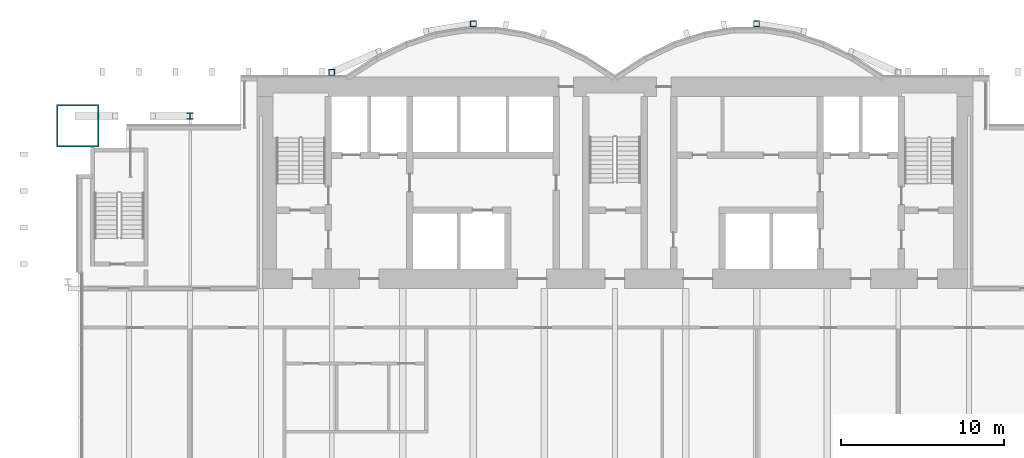
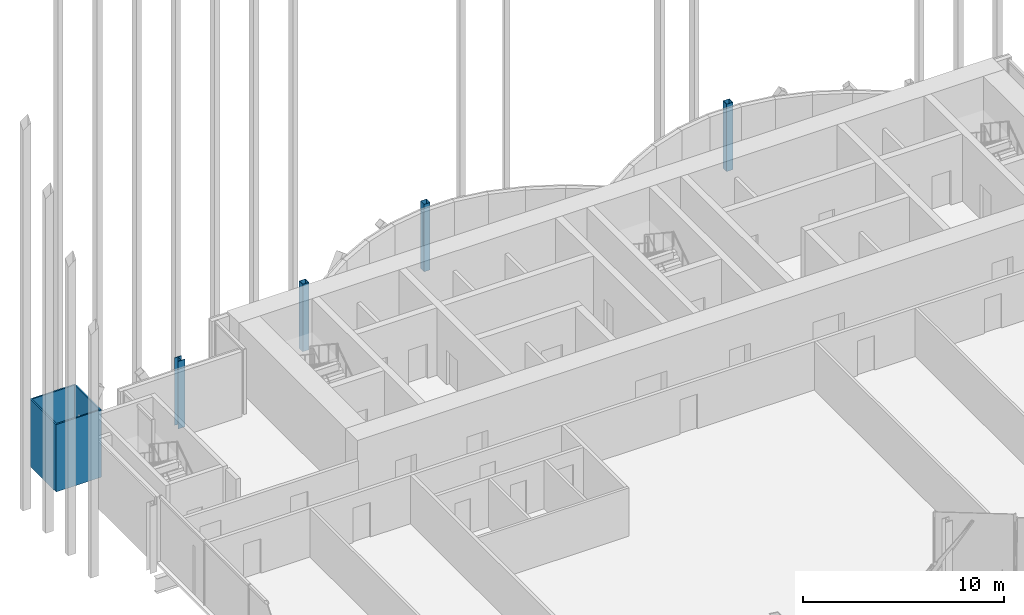
# One storey, part 3 of 33: 5 columns.
"""IFC4 building model written with IfcOpenShell, lengths in metres."""

from ifc_helpers import new_model, si_unit, direction, frame, origin, origin_2d, place, context, subcontext, project, spatial, hollow_rectangle, i_section, extrude, material, material_profile, profile_set, type_object, element, save


model = new_model("IFC4")

# Units and contexts
model_context = context("Model", 3, precision=1e-05, world=origin(), true_north=direction((0.0, 1.0)))
body_context = subcontext(model_context, "Body", "Model", "MODEL_VIEW")
ifc_project = project(units=[si_unit("LENGTHUNIT", "METRE"), si_unit("AREAUNIT", "SQUARE_METRE"), si_unit("VOLUMEUNIT", "CUBIC_METRE"), si_unit("PLANEANGLEUNIT", "RADIAN"), si_unit("MASSUNIT", "GRAM", prefix="KILO")], contexts=[model_context])

# Site, building, storey
site_placement = place(None, origin())
site = spatial("IfcSite", under=ifc_project, at=site_placement, CompositionType="ELEMENT")
building_placement = place(site_placement, origin())
building = spatial("IfcBuilding", under=site, at=building_placement, Name="Bicima Exchange Tower", CompositionType="ELEMENT")
storey_placement = place(building_placement, frame((0.0, 0.0, 140.39990234375)))
storey = spatial("IfcBuildingStorey", under=building, at=storey_placement, Name="L30", CompositionType="ELEMENT", Elevation=140.39990234375)

# Columns
ifc_material_1 = material(Name="Steel ASTM A572 Gr 50", Category="steel")
ifc_material_profile_1 = material_profile(ifc_material_1, hollow_rectangle(XDim=2.60009765625, YDim=2.60009765625, WallThickness=0.080078125, at=origin_2d()))
ifc_profile_set_1 = profile_set([ifc_material_profile_1], Name="Steel ASTM A572 Gr 50")
column_type_1 = type_object("IfcColumnType", Name="Mega column BOX 2600x2600x80", PredefinedType="COLUMN", material=ifc_profile_set_1)
column_1_placement = place(storey_placement, frame((-33.0, -3.0, 0.0), z_axis=(0.0, 0.0, 1.0), x_axis=(1.0, 0.0, 0.0)))
element("IfcColumn", 1, at=column_1_placement, inside=storey, type_object=column_type_1, Name="Mega column mega-33.0r", PredefinedType="COLUMN", context=body_context, shape_type="SweptSolid", body=[
    extrude(hollow_rectangle(XDim=2.60009765625, YDim=2.60009765625, WallThickness=0.080078125, at=origin_2d()), origin(), (0.0, 0.0, 1.0), 4.10009765625),
])
ifc_material_2 = material(Name="Steel ASTM A992 Gr 50", Category="steel")
ifc_material_profile_2 = material_profile(ifc_material_2, i_section(OverallWidth=0.396240234375, OverallDepth=0.381103515625, WebThickness=0.01904296875, FlangeThickness=0.0302734375, at=origin_2d()))
ifc_profile_set_2 = profile_set([ifc_material_profile_2], Name="Steel ASTM A992 Gr 50")
column_type_2 = type_object("IfcColumnType", Name="Perimeter column W14x159", PredefinedType="COLUMN", material=ifc_profile_set_2)
column_2_placement = place(storey_placement, frame((-26.10009765625, -2.39990234375, 0.0), z_axis=(0.0, 0.0, 1.0), x_axis=(1.0, 0.0, 0.0)))
element("IfcColumn", 2, at=column_2_placement, inside=storey, type_object=column_type_2, Name="Perimeter column grav-26.1r", PredefinedType="COLUMN", context=body_context, shape_type="SweptSolid", body=[
    extrude(i_section(OverallWidth=0.396240234375, OverallDepth=0.381103515625, WebThickness=0.01904296875, FlangeThickness=0.0302734375, at=origin_2d()), origin(), (0.0, 0.0, 1.0), 4.10009765625),
])
ifc_material_profile_3 = material_profile(ifc_material_1, hollow_rectangle(XDim=0.355712890625, YDim=0.355712890625, WallThickness=0.01171875, at=origin_2d()))
ifc_profile_set_3 = profile_set([ifc_material_profile_3], Name="Steel ASTM A572 Gr 50")
column_type_3 = type_object("IfcColumnType", Name="Rear pilaster HSS14x14x1/2", PredefinedType="COLUMN", material=ifc_profile_set_3)
for number, where, z_axis, x_axis, name in (
    (3, (-8.699951171875, 3.26904296875, 0.0), (0.0, 0.0, 1.0), (1.0, 0.0, 0.0), "Rear pilaster rexo-8.7r"),
    (4, (-17.39990234375, 0.278076171875, 0.0), (0.0, 0.0, 1.0), (1.0, 0.0, 0.0), "Rear pilaster rexo-17.4r"),
    (5, (8.699951171875, 3.26904296875, 0.0), (0.0, 0.0, 1.0), (1.0, 0.0, 0.0), "Rear pilaster rexo+8.7r"),
):
    element("IfcColumn", number, at=place(storey_placement, frame(where, z_axis=z_axis, x_axis=x_axis)), inside=storey, type_object=column_type_3, Name=name, PredefinedType="COLUMN", context=body_context, shape_type="SweptSolid", body=[
        extrude(hollow_rectangle(XDim=0.355712890625, YDim=0.355712890625, WallThickness=0.01171875, at=origin_2d()), origin(), (0.0, 0.0, 1.0), 4.10009765625),
    ])

save(model, "model.ifc")
